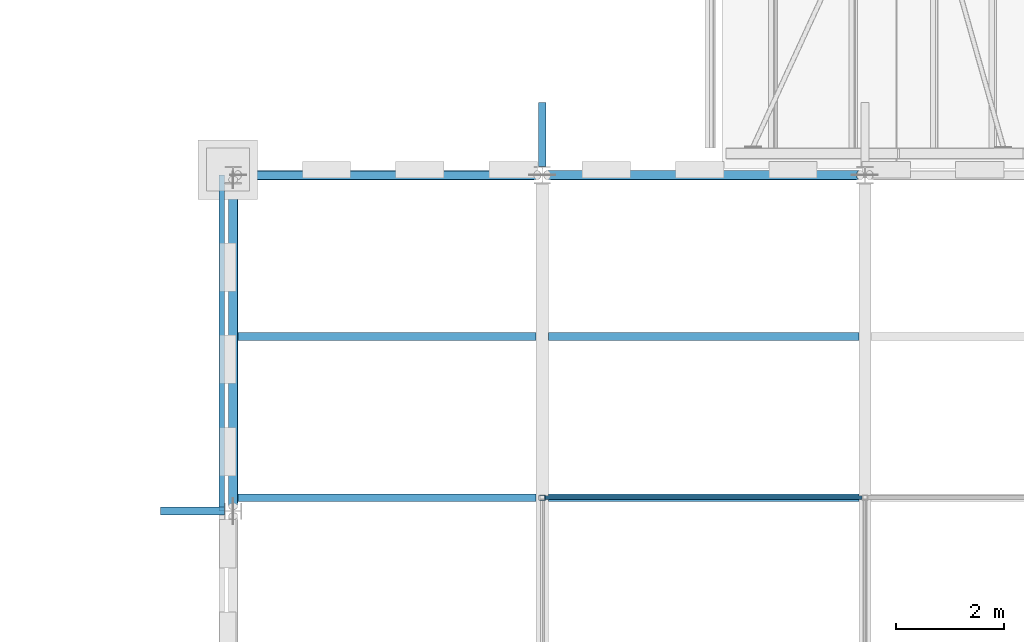
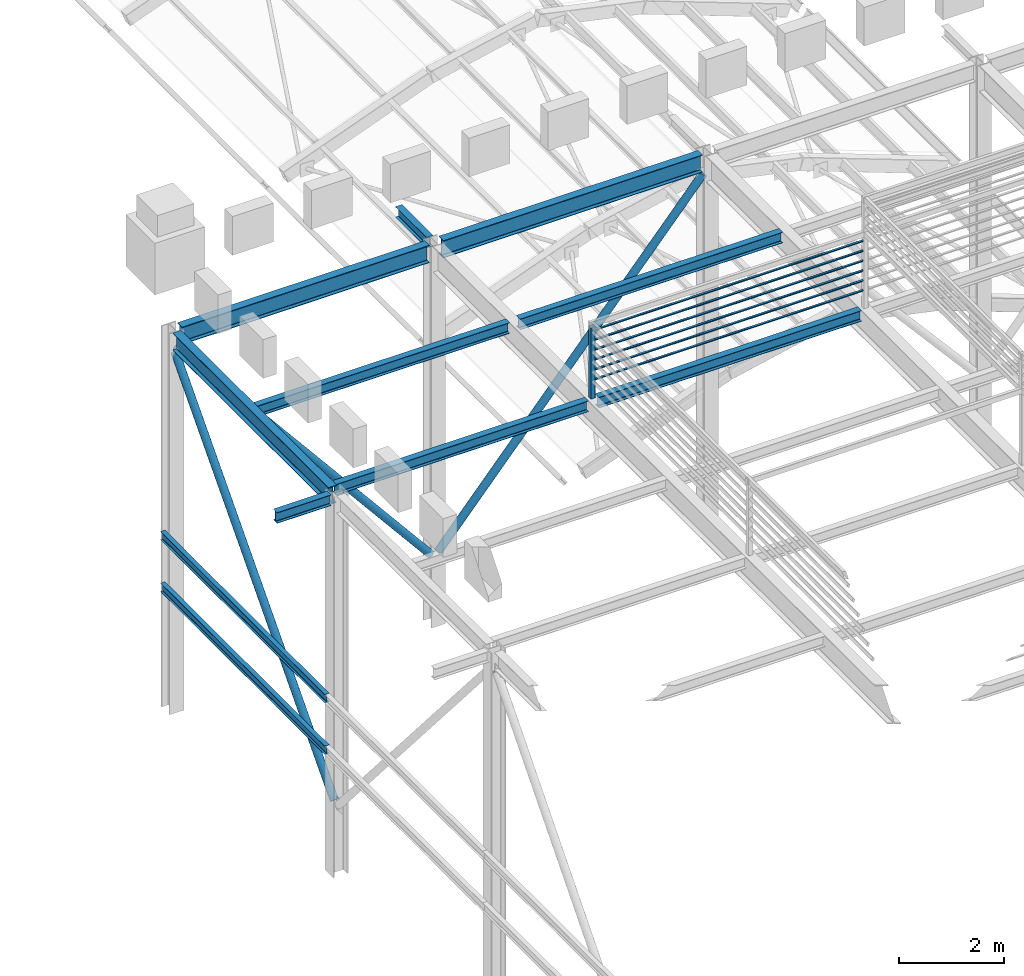
# One storey, part 15 of 57: 11 beams, 10 members.
"""IFC4 building model written with IfcOpenShell, lengths in metres."""

from ifc_helpers import new_model, si_unit, direction, frame, origin, origin_2d, place, context, subcontext, project, spatial, hollow_rectangle, hollow_circle, i_section, extrude, material, material_profile, profile_set, type_object, element, save


model = new_model("IFC4")

# Units and contexts
model_context = context("Model", 3, precision=1e-05, world=origin(), true_north=direction((0.0, 1.0)))
body_context = subcontext(model_context, "Body", "Model", "MODEL_VIEW")
ifc_project = project(units=[si_unit("LENGTHUNIT", "METRE"), si_unit("AREAUNIT", "SQUARE_METRE"), si_unit("VOLUMEUNIT", "CUBIC_METRE"), si_unit("PLANEANGLEUNIT", "RADIAN"), si_unit("MASSUNIT", "GRAM", prefix="KILO")], contexts=[model_context])

# Site, building, storey
site_placement = place(None, origin())
site = spatial("IfcSite", under=ifc_project, at=site_placement, CompositionType="ELEMENT")
building_placement = place(site_placement, origin())
building = spatial("IfcBuilding", under=site, at=building_placement, Name="Saffron Lane Theatres", CompositionType="ELEMENT")
storey_placement = place(building_placement, frame((0.0, 0.0, 28.0)))
storey = spatial("IfcBuildingStorey", under=building, at=storey_placement, Name="Upper Roof", CompositionType="ELEMENT", Elevation=28.0)

# Members
ifc_material_1 = material(Name="Steel Grade 350", Category="steel")
ifc_material_profile_1 = material_profile(ifc_material_1, hollow_rectangle(XDim=0.10009765625, YDim=0.10009765625, WallThickness=0.006103515625, InnerFilletRadius=0.0029296875, OuterFilletRadius=0.009033203125, at=origin_2d()))
ifc_profile_set_1 = profile_set([ifc_material_profile_1], Name="Steel Grade 350")
member_type_1 = type_object("IfcMemberType", Name="ST-LANTERN POST 100x100x6 SHS", PredefinedType="POST", material=ifc_profile_set_1)
member_1_placement = place(storey_placement, frame((24.0, 48.25, 8.85009765625), z_axis=(0.0, 0.0, 1.0), x_axis=(1.0, 0.0, 0.0)))
element("IfcMember", 1, at=member_1_placement, inside=storey, type_object=member_type_1, Name="LP3", PredefinedType="POST", context=body_context, shape_type="SweptSolid", body=[
    extrude(hollow_rectangle(XDim=0.10009765625, YDim=0.10009765625, WallThickness=0.006103515625, InnerFilletRadius=0.0029296875, OuterFilletRadius=0.009033203125, at=origin_2d()), origin(), (0.0, 0.0, 1.0), 1.64990234375),
])
ifc_material_2 = material(Name="Steel Grade 350", Category="steel")
ifc_material_profile_2 = material_profile(ifc_material_2, hollow_rectangle(XDim=0.034912109375, YDim=0.06494140625, WallThickness=0.0029296875, InnerFilletRadius=0.00146484375, OuterFilletRadius=0.00439453125, at=origin_2d()))
ifc_profile_set_2 = profile_set([ifc_material_profile_2], Name="Steel Grade 350")
member_type_2 = type_object("IfcMemberType", Name="ST-LOUVRE SLAT 65x35x3 RHS", PredefinedType="MEMBER", material=ifc_profile_set_2)
for number, where, z_axis, x_axis, name in (
    (2, (24.050048828125, 48.25, 9.25), (1.0, 0.0, 0.0), (0.0, 0.819152044289, 0.573576436351), "LV4"),
    (3, (24.050048828125, 48.25, 9.47998046875), (1.0, 0.0, 0.0), (0.0, 0.819152044289, 0.573576436351), "LV14"),
    (4, (24.050048828125, 48.25, 9.7099609375), (1.0, 0.0, 0.0), (0.0, 0.819152044289, 0.573576436351), "LV24"),
    (5, (24.050048828125, 48.25, 9.93994140625), (1.0, 0.0, 0.0), (0.0, 0.819152044289, 0.573576436351), "LV34"),
    (6, (24.050048828125, 48.25, 10.169921875), (1.0, 0.0, 0.0), (0.0, 0.819152044289, 0.573576436351), "LV44"),
    (7, (24.050048828125, 48.25, 10.39990234375), (1.0, 0.0, 0.0), (0.0, 0.819152044289, 0.573576436351), "LV54"),
):
    element("IfcMember", number, at=place(storey_placement, frame(where, z_axis=z_axis, x_axis=x_axis)), inside=storey, type_object=member_type_2, Name=name, PredefinedType="MEMBER", context=body_context, shape_type="SweptSolid", body=[
        extrude(hollow_rectangle(XDim=0.034912109375, YDim=0.06494140625, WallThickness=0.0029296875, InnerFilletRadius=0.00146484375, OuterFilletRadius=0.00439453125, at=origin_2d()), origin(), (0.0, 0.0, 1.0), 5.89990234375),
    ])

# Beams
ifc_material_3 = material(Name="Steel Grade 350", Category="steel")
ifc_material_profile_3 = material_profile(ifc_material_3, i_section(OverallWidth=0.177978515625, OverallDepth=0.406005859375, WebThickness=0.0078125, FlangeThickness=0.0126953125, FilletRadius=0.010986328125, at=origin_2d()))
ifc_profile_set_3 = profile_set([ifc_material_profile_3], Name="Steel Grade 350")
beam_type_1 = type_object("IfcBeamType", Name="ST-ROOF GIRDER 410UB59.7", PredefinedType="BEAM", material=ifc_profile_set_3)
beam_1_placement = place(storey_placement, frame((18.405517578125, 54.25, 8.64697265625), z_axis=(1.0, 0.0, 0.0), x_axis=(0.0, 1.0, 0.0)))
element("IfcBeam", 8, at=beam_1_placement, inside=storey, type_object=beam_type_1, Name="TR6", PredefinedType="BEAM", context=body_context, shape_type="SweptSolid", body=[
    extrude(i_section(OverallWidth=0.177978515625, OverallDepth=0.406005859375, WebThickness=0.0078125, FlangeThickness=0.0126953125, FilletRadius=0.010986328125, at=origin_2d()), origin(), (0.0, 0.0, 1.0), 5.43896484375),
])
beam_2_placement = place(storey_placement, frame((24.155517578125, 54.25, 8.64697265625), z_axis=(1.0, 0.0, 0.0), x_axis=(0.0, 1.0, 0.0)))
element("IfcBeam", 9, at=beam_2_placement, inside=storey, type_object=beam_type_1, Name="TR7", PredefinedType="BEAM", context=body_context, shape_type="SweptSolid", body=[
    extrude(i_section(OverallWidth=0.177978515625, OverallDepth=0.406005859375, WebThickness=0.0078125, FlangeThickness=0.0126953125, FilletRadius=0.010986328125, at=origin_2d()), origin(), (0.0, 0.0, 1.0), 5.68896484375),
])
beam_3_placement = place(storey_placement, frame((18.25, 48.155517578125, 8.64697265625), z_axis=(0.0, 1.0, 0.0), x_axis=(-1.0, 0.0, 0.0)))
element("IfcBeam", 10, at=beam_3_placement, inside=storey, type_object=beam_type_1, Name="TR14", PredefinedType="BEAM", context=body_context, shape_type="SweptSolid", body=[
    extrude(i_section(OverallWidth=0.177978515625, OverallDepth=0.406005859375, WebThickness=0.0078125, FlangeThickness=0.0126953125, FilletRadius=0.010986328125, at=origin_2d()), origin(), (0.0, 0.0, 1.0), 5.930908203125),
])
ifc_material_4 = material(Name="Steel Grade 350", Category="steel")
ifc_material_profile_4 = material_profile(ifc_material_4, i_section(OverallWidth=0.14599609375, OverallDepth=0.251953125, WebThickness=0.006103515625, FlangeThickness=0.008544921875, FilletRadius=0.011962890625, at=origin_2d()))
ifc_profile_set_4 = profile_set([ifc_material_profile_4], Name="Steel Grade 350")
beam_type_2 = type_object("IfcBeamType", Name="ST-ROOF JOIST 250UB31.4", PredefinedType="JOIST", material=ifc_profile_set_4)
beam_4_placement = place(storey_placement, frame((18.339111328125, 48.25, 8.72412109375), z_axis=(1.0, 0.0, 0.0), x_axis=(0.0, 1.0, 0.0)))
element("IfcBeam", 11, at=beam_4_placement, inside=storey, type_object=beam_type_2, Name="TT26", PredefinedType="JOIST", context=body_context, shape_type="SweptSolid", body=[
    extrude(i_section(OverallWidth=0.14599609375, OverallDepth=0.251953125, WebThickness=0.006103515625, FlangeThickness=0.008544921875, FilletRadius=0.011962890625, at=origin_2d()), origin(), (0.0, 0.0, 1.0), 5.546875),
])
beam_5_placement = place(storey_placement, frame((24.114013671875, 48.25, 8.72412109375), z_axis=(1.0, 0.0, 0.0), x_axis=(0.0, 1.0, 0.0)))
element("IfcBeam", 12, at=beam_5_placement, inside=storey, type_object=beam_type_2, Name="TT27", PredefinedType="JOIST", context=body_context, shape_type="SweptSolid", body=[
    extrude(i_section(OverallWidth=0.14599609375, OverallDepth=0.251953125, WebThickness=0.006103515625, FlangeThickness=0.008544921875, FilletRadius=0.011962890625, at=origin_2d()), origin(), (0.0, 0.0, 1.0), 5.77197265625),
])
beam_6_placement = place(storey_placement, frame((18.339111328125, 51.25, 8.72412109375), z_axis=(1.0, 0.0, 0.0), x_axis=(0.0, 1.0, 0.0)))
element("IfcBeam", 13, at=beam_6_placement, inside=storey, type_object=beam_type_2, Name="TT31", PredefinedType="JOIST", context=body_context, shape_type="SweptSolid", body=[
    extrude(i_section(OverallWidth=0.14599609375, OverallDepth=0.251953125, WebThickness=0.006103515625, FlangeThickness=0.008544921875, FilletRadius=0.011962890625, at=origin_2d()), origin(), (0.0, 0.0, 1.0), 5.546875),
])
beam_7_placement = place(storey_placement, frame((24.114013671875, 51.25, 8.72412109375), z_axis=(1.0, 0.0, 0.0), x_axis=(0.0, 1.0, 0.0)))
element("IfcBeam", 14, at=beam_7_placement, inside=storey, type_object=beam_type_2, Name="TT32", PredefinedType="JOIST", context=body_context, shape_type="SweptSolid", body=[
    extrude(i_section(OverallWidth=0.14599609375, OverallDepth=0.251953125, WebThickness=0.006103515625, FlangeThickness=0.008544921875, FilletRadius=0.011962890625, at=origin_2d()), origin(), (0.0, 0.0, 1.0), 5.77197265625),
])
for number, where, z_axis, x_axis, name in (
    (15, (24.0, 54.41357421875, 8.72412109375), (0.0, 1.0, 0.0), (-1.0, 0.0, 0.0), "TE2"),
    (16, (18.08642578125, 48.0, 8.72412109375), (-1.0, 0.0, 0.0), (0.0, -1.0, 0.0), "TE13"),
):
    element("IfcBeam", number, at=place(storey_placement, frame(where, z_axis=z_axis, x_axis=x_axis)), inside=storey, type_object=beam_type_2, Name=name, PredefinedType="JOIST", context=body_context, shape_type="SweptSolid", body=[
        extrude(i_section(OverallWidth=0.14599609375, OverallDepth=0.251953125, WebThickness=0.006103515625, FlangeThickness=0.008544921875, FilletRadius=0.011962890625, at=origin_2d()), origin(), (0.0, 0.0, 1.0), 1.1865234375),
    ])

# Members
ifc_material_5 = material(Name="Steel Grade 350", Category="steel")
ifc_material_profile_5 = material_profile(ifc_material_5, hollow_circle(Radius=0.084228515625, WallThickness=0.00634765625, at=origin_2d()))
ifc_profile_set_5 = profile_set([ifc_material_profile_5], Name="Steel Grade 350")
member_type_3 = type_object("IfcMemberType", Name="ST-TOWER BRACE HI 168.3x6.4 CHS", PredefinedType="BRACE", material=ifc_profile_set_5)
member_2_placement = place(storey_placement, frame((23.9072265625, 54.25, 1.61181640625), z_axis=(-0.637764692464, 0.0, 0.770231262055), x_axis=(0.0, -1.0, 0.0)))
element("IfcMember", 17, at=member_2_placement, inside=storey, type_object=member_type_3, Name="TB12", PredefinedType="BRACE", context=body_context, shape_type="SweptSolid", body=[
    extrude(hollow_circle(Radius=0.084228515625, WallThickness=0.00634765625, at=origin_2d()), origin(), (0.0, 0.0, 1.0), 8.724853515625),
])
member_3_placement = place(storey_placement, frame((24.091552734375, 54.25, 1.60595703125), z_axis=(0.653796315822, 0.0, 0.756670587123), x_axis=(0.0, 1.0, 0.0)))
element("IfcMember", 18, at=member_3_placement, inside=storey, type_object=member_type_3, Name="TB14", PredefinedType="BRACE", context=body_context, shape_type="SweptSolid", body=[
    extrude(hollow_circle(Radius=0.084228515625, WallThickness=0.00634765625, at=origin_2d()), origin(), (0.0, 0.0, 1.0), 8.897216796875),
])
member_4_placement = place(storey_placement, frame((18.25, 48.09033203125, 1.600341796875), z_axis=(0.0, 0.668994466421, 0.743267383852), x_axis=(-1.0, 0.0, 0.0)))
element("IfcMember", 19, at=member_4_placement, inside=storey, type_object=member_type_3, Name="TB28", PredefinedType="BRACE", context=body_context, shape_type="SweptSolid", body=[
    extrude(hollow_circle(Radius=0.084228515625, WallThickness=0.00634765625, at=origin_2d()), origin(), (0.0, 0.0, 1.0), 9.072265625),
])

# Beams
ifc_material_6 = material(Name="Steel Grade 350", Category="steel")
ifc_material_profile_6 = material_profile(ifc_material_6, i_section(OverallWidth=0.09912109375, OverallDepth=0.197998046875, WebThickness=0.00439453125, FlangeThickness=0.007080078125, FilletRadius=0.010986328125, at=origin_2d()))
ifc_profile_set_6 = profile_set([ifc_material_profile_6], Name="Steel Grade 350")
beam_type_3 = type_object("IfcBeamType", Name="ST-TOWER GIRT 200UB18.2", PredefinedType="BEAM", material=ifc_profile_set_6)
for number, where, z_axis, x_axis, name in (
    (20, (18.037109375, 48.0, 2.90087890625), (0.0, 1.0, 0.0), (-1.0, 0.0, 0.0), "TX41"),
    (21, (18.037109375, 48.0, 4.10107421875), (0.0, 1.0, 0.0), (-1.0, 0.0, 0.0), "TX45"),
):
    element("IfcBeam", number, at=place(storey_placement, frame(where, z_axis=z_axis, x_axis=x_axis)), inside=storey, type_object=beam_type_3, Name=name, PredefinedType="BEAM", context=body_context, shape_type="SweptSolid", body=[
        extrude(i_section(OverallWidth=0.09912109375, OverallDepth=0.197998046875, WebThickness=0.00439453125, FlangeThickness=0.007080078125, FilletRadius=0.010986328125, at=origin_2d()), origin(), (0.0, 0.0, 1.0), 6.25),
    ])

save(model, "model.ifc")
